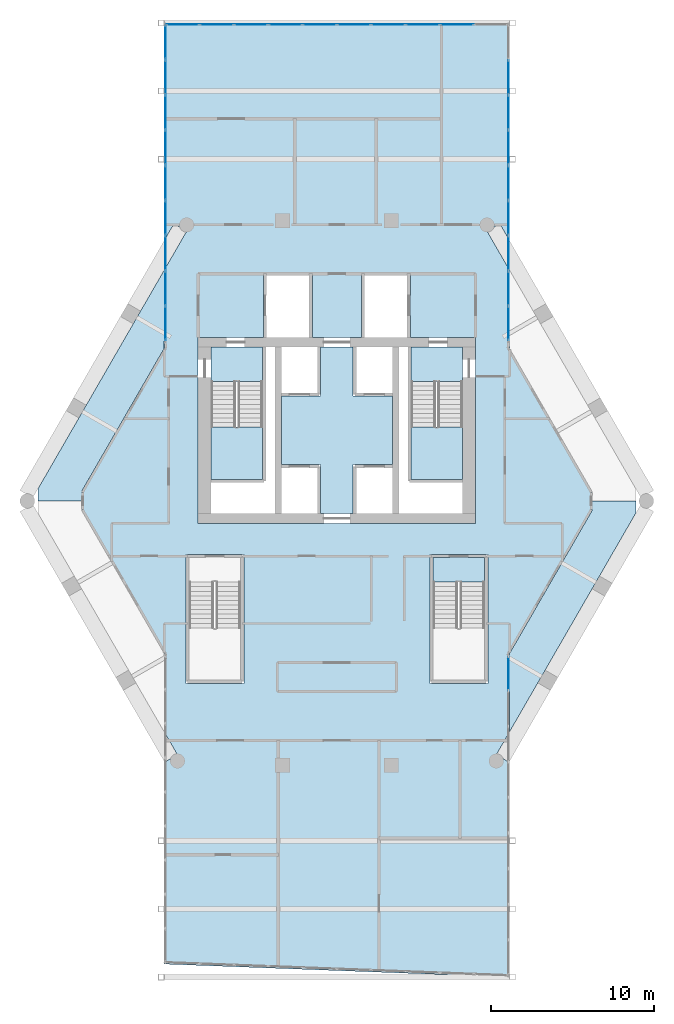
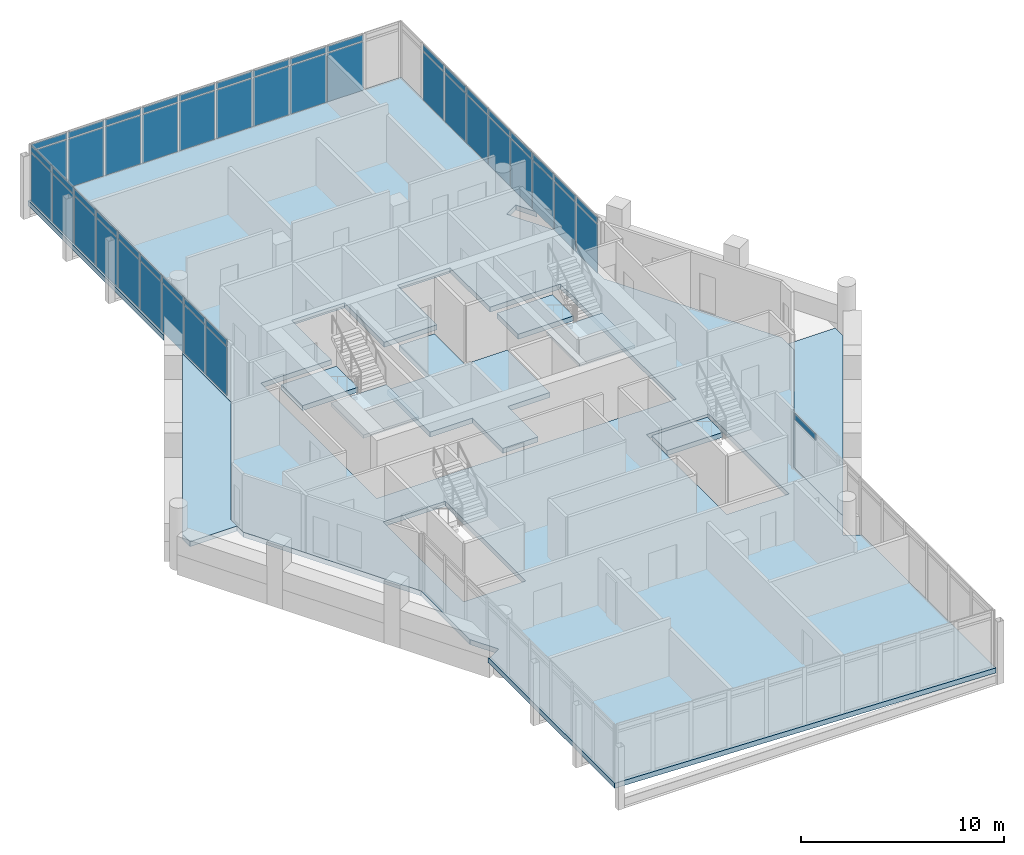
# One storey, part 19 of 25: 53 plates, 9 slabs, 6 elements without a shape of their own.
"""IFC4 building model written with IfcOpenShell, lengths in metres."""

from ifc_helpers import new_model, si_unit, direction, frame, origin, origin_2d, place, context, subcontext, project, spatial, polyline, rectangle, outline, extrude, material, layer, layer_set, type_object, element, aggregate, save


model = new_model("IFC4")

# Units and contexts
model_context = context("Model", 3, precision=1e-05, world=origin(), true_north=direction((0.0, 1.0)))
body_context = subcontext(model_context, "Body", "Model", "MODEL_VIEW")
ifc_project = project(units=[si_unit("LENGTHUNIT", "METRE"), si_unit("AREAUNIT", "SQUARE_METRE"), si_unit("VOLUMEUNIT", "CUBIC_METRE"), si_unit("PLANEANGLEUNIT", "RADIAN"), si_unit("MASSUNIT", "GRAM", prefix="KILO")], contexts=[model_context])

# Site, building, storey
site_placement = place(None, origin())
site = spatial("IfcSite", under=ifc_project, at=site_placement, CompositionType="ELEMENT")
building_placement = place(site_placement, origin())
building = spatial("IfcBuilding", under=site, at=building_placement, Name="Ostrander Bayou Hotel Tower", CompositionType="ELEMENT")
storey_placement = place(building_placement, frame((0.0, 0.0, 229.5)))
storey = spatial("IfcBuildingStorey", under=building, at=storey_placement, Name="L57", CompositionType="ELEMENT", Elevation=229.5)

# Curtain wall, plate
ifc_material_1 = material(Name="Aluminium and clear glass", Category="aluminium")
curtain_wall_type = type_object("IfcCurtainWallType", Name="CW-BAR glazed wall", PredefinedType="NOTDEFINED", material=ifc_material_1)
curtain_wall_1_placement = place(storey_placement, origin())
curtain_wall_1 = element("IfcCurtainWall", 1, at=curtain_wall_1_placement, inside=storey, type_object=curtain_wall_type, Name="CW-BAR L57:SB5S:W", PredefinedType="NOTDEFINED")
ifc_material_2 = material(Name="Clear laminated glass", Category="glass")
ifc_layer_1 = layer(ifc_material_2, 0.028076171875)
ifc_layer_set_1 = layer_set([ifc_layer_1], Name="CW-BR glazing panel 28 mm")
plate_type = type_object("IfcPlateType", Name="CW-BR glazing panel 28 mm", PredefinedType="CURTAIN_PANEL", material=ifc_layer_set_1)
plate_1_placement = place(storey_placement, frame((10.51220703125, -10.896484375, 3.02978515625), z_axis=(0.0, 0.0, 1.0), x_axis=(0.0, -1.0, 0.0)))
plate_1 = element("IfcPlate", 2, at=plate_1_placement, type_object=plate_type, Name="CW-BAR panel 1.2", PredefinedType="CURTAIN_PANEL", context=body_context, shape_type="SweptSolid", body=[
    extrude(rectangle(XDim=2.08837890625, YDim=0.028076171875, at=origin_2d()), origin(), (0.0, 0.0, 1.0), 0.360107421875),
])
aggregate(curtain_wall_1, [plate_1])

# Curtain wall, plates
curtain_wall_2_placement = place(storey_placement, origin())
curtain_wall_2 = element("IfcCurtainWall", 3, at=curtain_wall_2_placement, inside=storey, type_object=curtain_wall_type, Name="CW-BAR L57:SB5N:E", PredefinedType="NOTDEFINED")
plate_2_placement = place(storey_placement, frame((-10.51220703125, 10.557861328125, 0.06005859375), z_axis=(0.0, 0.0, 1.0), x_axis=(0.0, 1.0, 0.0)))
plate_2 = element("IfcPlate", 4, at=plate_2_placement, type_object=plate_type, Name="CW-BAR panel 1.1", PredefinedType="CURTAIN_PANEL", context=body_context, shape_type="SweptSolid", body=[
    extrude(rectangle(XDim=2.065673828125, YDim=0.028076171875, at=origin_2d()), origin(), (0.0, 0.0, 1.0), 2.909912109375),
])
plate_3_placement = place(storey_placement, frame((-10.51220703125, 10.557861328125, 3.02978515625), z_axis=(0.0, 0.0, 1.0), x_axis=(0.0, 1.0, 0.0)))
plate_3 = element("IfcPlate", 5, at=plate_3_placement, type_object=plate_type, Name="CW-BAR panel 1.2", PredefinedType="CURTAIN_PANEL", context=body_context, shape_type="SweptSolid", body=[
    extrude(rectangle(XDim=2.065673828125, YDim=0.028076171875, at=origin_2d()), origin(), (0.0, 0.0, 1.0), 0.360107421875),
])
plate_4_placement = place(storey_placement, frame((-10.51220703125, 12.698486328125, 0.06005859375), z_axis=(0.0, 0.0, 1.0), x_axis=(0.0, 1.0, 0.0)))
plate_4 = element("IfcPlate", 6, at=plate_4_placement, type_object=plate_type, Name="CW-BAR panel 2.1", PredefinedType="CURTAIN_PANEL", context=body_context, shape_type="SweptSolid", body=[
    extrude(rectangle(XDim=2.095703125, YDim=0.028076171875, at=origin_2d()), origin(), (0.0, 0.0, 1.0), 2.909912109375),
])
plate_5_placement = place(storey_placement, frame((-10.51220703125, 12.698486328125, 3.02978515625), z_axis=(0.0, 0.0, 1.0), x_axis=(0.0, 1.0, 0.0)))
plate_5 = element("IfcPlate", 7, at=plate_5_placement, type_object=plate_type, Name="CW-BAR panel 2.2", PredefinedType="CURTAIN_PANEL", context=body_context, shape_type="SweptSolid", body=[
    extrude(rectangle(XDim=2.095703125, YDim=0.028076171875, at=origin_2d()), origin(), (0.0, 0.0, 1.0), 0.360107421875),
])
plate_6_placement = place(storey_placement, frame((-10.51220703125, 14.854248046875, 0.06005859375), z_axis=(0.0, 0.0, 1.0), x_axis=(0.0, 1.0, 0.0)))
plate_6 = element("IfcPlate", 8, at=plate_6_placement, type_object=plate_type, Name="CW-BAR panel 3.1", PredefinedType="CURTAIN_PANEL", context=body_context, shape_type="SweptSolid", body=[
    extrude(rectangle(XDim=2.095703125, YDim=0.028076171875, at=origin_2d()), origin(), (0.0, 0.0, 1.0), 2.909912109375),
])
plate_7_placement = place(storey_placement, frame((-10.51220703125, 14.854248046875, 3.02978515625), z_axis=(0.0, 0.0, 1.0), x_axis=(0.0, 1.0, 0.0)))
plate_7 = element("IfcPlate", 9, at=plate_7_placement, type_object=plate_type, Name="CW-BAR panel 3.2", PredefinedType="CURTAIN_PANEL", context=body_context, shape_type="SweptSolid", body=[
    extrude(rectangle(XDim=2.095703125, YDim=0.028076171875, at=origin_2d()), origin(), (0.0, 0.0, 1.0), 0.360107421875),
])
plate_8_placement = place(storey_placement, frame((-10.51220703125, 17.010009765625, 0.06005859375), z_axis=(0.0, 0.0, 1.0), x_axis=(0.0, 1.0, 0.0)))
plate_8 = element("IfcPlate", 10, at=plate_8_placement, type_object=plate_type, Name="CW-BAR panel 4.1", PredefinedType="CURTAIN_PANEL", context=body_context, shape_type="SweptSolid", body=[
    extrude(rectangle(XDim=2.095703125, YDim=0.028076171875, at=origin_2d()), origin(), (0.0, 0.0, 1.0), 2.909912109375),
])
plate_9_placement = place(storey_placement, frame((-10.51220703125, 17.010009765625, 3.02978515625), z_axis=(0.0, 0.0, 1.0), x_axis=(0.0, 1.0, 0.0)))
plate_9 = element("IfcPlate", 11, at=plate_9_placement, type_object=plate_type, Name="CW-BAR panel 4.2", PredefinedType="CURTAIN_PANEL", context=body_context, shape_type="SweptSolid", body=[
    extrude(rectangle(XDim=2.095703125, YDim=0.028076171875, at=origin_2d()), origin(), (0.0, 0.0, 1.0), 0.360107421875),
])
plate_10_placement = place(storey_placement, frame((-10.51220703125, 19.165771484375, 0.06005859375), z_axis=(0.0, 0.0, 1.0), x_axis=(0.0, 1.0, 0.0)))
plate_10 = element("IfcPlate", 12, at=plate_10_placement, type_object=plate_type, Name="CW-BAR panel 5.1", PredefinedType="CURTAIN_PANEL", context=body_context, shape_type="SweptSolid", body=[
    extrude(rectangle(XDim=2.095703125, YDim=0.028076171875, at=origin_2d()), origin(), (0.0, 0.0, 1.0), 2.909912109375),
])
plate_11_placement = place(storey_placement, frame((-10.51220703125, 19.165771484375, 3.02978515625), z_axis=(0.0, 0.0, 1.0), x_axis=(0.0, 1.0, 0.0)))
plate_11 = element("IfcPlate", 13, at=plate_11_placement, type_object=plate_type, Name="CW-BAR panel 5.2", PredefinedType="CURTAIN_PANEL", context=body_context, shape_type="SweptSolid", body=[
    extrude(rectangle(XDim=2.095703125, YDim=0.028076171875, at=origin_2d()), origin(), (0.0, 0.0, 1.0), 0.360107421875),
])
plate_12_placement = place(storey_placement, frame((-10.51220703125, 21.321533203125, 0.06005859375), z_axis=(0.0, 0.0, 1.0), x_axis=(0.0, 1.0, 0.0)))
plate_12 = element("IfcPlate", 14, at=plate_12_placement, type_object=plate_type, Name="CW-BAR panel 6.1", PredefinedType="CURTAIN_PANEL", context=body_context, shape_type="SweptSolid", body=[
    extrude(rectangle(XDim=2.095703125, YDim=0.028076171875, at=origin_2d()), origin(), (0.0, 0.0, 1.0), 2.909912109375),
])
plate_13_placement = place(storey_placement, frame((-10.51220703125, 21.321533203125, 3.02978515625), z_axis=(0.0, 0.0, 1.0), x_axis=(0.0, 1.0, 0.0)))
plate_13 = element("IfcPlate", 15, at=plate_13_placement, type_object=plate_type, Name="CW-BAR panel 6.2", PredefinedType="CURTAIN_PANEL", context=body_context, shape_type="SweptSolid", body=[
    extrude(rectangle(XDim=2.095703125, YDim=0.028076171875, at=origin_2d()), origin(), (0.0, 0.0, 1.0), 0.360107421875),
])
plate_14_placement = place(storey_placement, frame((-10.51220703125, 23.477294921875, 0.06005859375), z_axis=(0.0, 0.0, 1.0), x_axis=(0.0, 1.0, 0.0)))
plate_14 = element("IfcPlate", 16, at=plate_14_placement, type_object=plate_type, Name="CW-BAR panel 7.1", PredefinedType="CURTAIN_PANEL", context=body_context, shape_type="SweptSolid", body=[
    extrude(rectangle(XDim=2.095703125, YDim=0.028076171875, at=origin_2d()), origin(), (0.0, 0.0, 1.0), 2.909912109375),
])
plate_15_placement = place(storey_placement, frame((-10.51220703125, 23.477294921875, 3.02978515625), z_axis=(0.0, 0.0, 1.0), x_axis=(0.0, 1.0, 0.0)))
plate_15 = element("IfcPlate", 17, at=plate_15_placement, type_object=plate_type, Name="CW-BAR panel 7.2", PredefinedType="CURTAIN_PANEL", context=body_context, shape_type="SweptSolid", body=[
    extrude(rectangle(XDim=2.095703125, YDim=0.028076171875, at=origin_2d()), origin(), (0.0, 0.0, 1.0), 0.360107421875),
])
plate_16_placement = place(storey_placement, frame((-10.51220703125, 25.633056640625, 0.06005859375), z_axis=(0.0, 0.0, 1.0), x_axis=(0.0, 1.0, 0.0)))
plate_16 = element("IfcPlate", 18, at=plate_16_placement, type_object=plate_type, Name="CW-BAR panel 8.1", PredefinedType="CURTAIN_PANEL", context=body_context, shape_type="SweptSolid", body=[
    extrude(rectangle(XDim=2.095703125, YDim=0.028076171875, at=origin_2d()), origin(), (0.0, 0.0, 1.0), 2.909912109375),
])
plate_17_placement = place(storey_placement, frame((-10.51220703125, 25.633056640625, 3.02978515625), z_axis=(0.0, 0.0, 1.0), x_axis=(0.0, 1.0, 0.0)))
plate_17 = element("IfcPlate", 19, at=plate_17_placement, type_object=plate_type, Name="CW-BAR panel 8.2", PredefinedType="CURTAIN_PANEL", context=body_context, shape_type="SweptSolid", body=[
    extrude(rectangle(XDim=2.095703125, YDim=0.028076171875, at=origin_2d()), origin(), (0.0, 0.0, 1.0), 0.360107421875),
])
plate_18_placement = place(storey_placement, frame((-10.51220703125, 27.773681640625, 0.06005859375), z_axis=(0.0, 0.0, 1.0), x_axis=(0.0, 1.0, 0.0)))
plate_18 = element("IfcPlate", 20, at=plate_18_placement, type_object=plate_type, Name="CW-BAR panel 9.1", PredefinedType="CURTAIN_PANEL", context=body_context, shape_type="SweptSolid", body=[
    extrude(rectangle(XDim=2.065673828125, YDim=0.028076171875, at=origin_2d()), origin(), (0.0, 0.0, 1.0), 2.909912109375),
])
plate_19_placement = place(storey_placement, frame((-10.51220703125, 27.773681640625, 3.02978515625), z_axis=(0.0, 0.0, 1.0), x_axis=(0.0, 1.0, 0.0)))
plate_19 = element("IfcPlate", 21, at=plate_19_placement, type_object=plate_type, Name="CW-BAR panel 9.2", PredefinedType="CURTAIN_PANEL", context=body_context, shape_type="SweptSolid", body=[
    extrude(rectangle(XDim=2.065673828125, YDim=0.028076171875, at=origin_2d()), origin(), (0.0, 0.0, 1.0), 0.360107421875),
])
aggregate(curtain_wall_2, [plate_2, plate_3, plate_4, plate_5, plate_6, plate_7, plate_8, plate_9, plate_10, plate_11, plate_12, plate_13, plate_14, plate_15, plate_16, plate_17, plate_18, plate_19])

curtain_wall_3_placement = place(storey_placement, origin())
curtain_wall_3 = element("IfcCurtainWall", 22, at=curtain_wall_3_placement, inside=storey, type_object=curtain_wall_type, Name="CW-BAR L57:SB5N:T", PredefinedType="NOTDEFINED")
plate_20_placement = place(storey_placement, frame((-9.446044921875, 28.86669921875, 0.06005859375), z_axis=(0.0, 0.0, 1.0), x_axis=(1.0, 0.0, 0.0)))
plate_20 = element("IfcPlate", 23, at=plate_20_placement, type_object=plate_type, Name="CW-BAR panel 1.1", PredefinedType="CURTAIN_PANEL", context=body_context, shape_type="SweptSolid", body=[
    extrude(rectangle(XDim=2.012451171875, YDim=0.028076171875, at=origin_2d()), origin(), (0.0, 0.0, 1.0), 2.909912109375),
])
plate_21_placement = place(storey_placement, frame((-9.446044921875, 28.86669921875, 3.02978515625), z_axis=(0.0, 0.0, 1.0), x_axis=(1.0, 0.0, 0.0)))
plate_21 = element("IfcPlate", 24, at=plate_21_placement, type_object=plate_type, Name="CW-BAR panel 1.2", PredefinedType="CURTAIN_PANEL", context=body_context, shape_type="SweptSolid", body=[
    extrude(rectangle(XDim=2.012451171875, YDim=0.028076171875, at=origin_2d()), origin(), (0.0, 0.0, 1.0), 0.360107421875),
])
plate_22_placement = place(storey_placement, frame((-7.358642578125, 28.86669921875, 0.06005859375), z_axis=(0.0, 0.0, 1.0), x_axis=(1.0, 0.0, 0.0)))
plate_22 = element("IfcPlate", 25, at=plate_22_placement, type_object=plate_type, Name="CW-BAR panel 2.1", PredefinedType="CURTAIN_PANEL", context=body_context, shape_type="SweptSolid", body=[
    extrude(rectangle(XDim=2.04248046875, YDim=0.028076171875, at=origin_2d()), origin(), (0.0, 0.0, 1.0), 2.909912109375),
])
plate_23_placement = place(storey_placement, frame((-7.358642578125, 28.86669921875, 3.02978515625), z_axis=(0.0, 0.0, 1.0), x_axis=(1.0, 0.0, 0.0)))
plate_23 = element("IfcPlate", 26, at=plate_23_placement, type_object=plate_type, Name="CW-BAR panel 2.2", PredefinedType="CURTAIN_PANEL", context=body_context, shape_type="SweptSolid", body=[
    extrude(rectangle(XDim=2.04248046875, YDim=0.028076171875, at=origin_2d()), origin(), (0.0, 0.0, 1.0), 0.360107421875),
])
plate_24_placement = place(storey_placement, frame((-5.256103515625, 28.86669921875, 0.06005859375), z_axis=(0.0, 0.0, 1.0), x_axis=(1.0, 0.0, 0.0)))
plate_24 = element("IfcPlate", 27, at=plate_24_placement, type_object=plate_type, Name="CW-BAR panel 3.1", PredefinedType="CURTAIN_PANEL", context=body_context, shape_type="SweptSolid", body=[
    extrude(rectangle(XDim=2.04248046875, YDim=0.028076171875, at=origin_2d()), origin(), (0.0, 0.0, 1.0), 2.909912109375),
])
plate_25_placement = place(storey_placement, frame((-5.256103515625, 28.86669921875, 3.02978515625), z_axis=(0.0, 0.0, 1.0), x_axis=(1.0, 0.0, 0.0)))
plate_25 = element("IfcPlate", 28, at=plate_25_placement, type_object=plate_type, Name="CW-BAR panel 3.2", PredefinedType="CURTAIN_PANEL", context=body_context, shape_type="SweptSolid", body=[
    extrude(rectangle(XDim=2.04248046875, YDim=0.028076171875, at=origin_2d()), origin(), (0.0, 0.0, 1.0), 0.360107421875),
])
plate_26_placement = place(storey_placement, frame((-3.153564453125, 28.86669921875, 0.06005859375), z_axis=(0.0, 0.0, 1.0), x_axis=(1.0, 0.0, 0.0)))
plate_26 = element("IfcPlate", 29, at=plate_26_placement, type_object=plate_type, Name="CW-BAR panel 4.1", PredefinedType="CURTAIN_PANEL", context=body_context, shape_type="SweptSolid", body=[
    extrude(rectangle(XDim=2.04248046875, YDim=0.028076171875, at=origin_2d()), origin(), (0.0, 0.0, 1.0), 2.909912109375),
])
plate_27_placement = place(storey_placement, frame((-3.153564453125, 28.86669921875, 3.02978515625), z_axis=(0.0, 0.0, 1.0), x_axis=(1.0, 0.0, 0.0)))
plate_27 = element("IfcPlate", 30, at=plate_27_placement, type_object=plate_type, Name="CW-BAR panel 4.2", PredefinedType="CURTAIN_PANEL", context=body_context, shape_type="SweptSolid", body=[
    extrude(rectangle(XDim=2.04248046875, YDim=0.028076171875, at=origin_2d()), origin(), (0.0, 0.0, 1.0), 0.360107421875),
])
plate_28_placement = place(storey_placement, frame((-1.05126953125, 28.86669921875, 0.06005859375), z_axis=(0.0, 0.0, 1.0), x_axis=(1.0, 0.0, 0.0)))
plate_28 = element("IfcPlate", 31, at=plate_28_placement, type_object=plate_type, Name="CW-BAR panel 5.1", PredefinedType="CURTAIN_PANEL", context=body_context, shape_type="SweptSolid", body=[
    extrude(rectangle(XDim=2.04248046875, YDim=0.028076171875, at=origin_2d()), origin(), (0.0, 0.0, 1.0), 2.909912109375),
])
plate_29_placement = place(storey_placement, frame((-1.05126953125, 28.86669921875, 3.02978515625), z_axis=(0.0, 0.0, 1.0), x_axis=(1.0, 0.0, 0.0)))
plate_29 = element("IfcPlate", 32, at=plate_29_placement, type_object=plate_type, Name="CW-BAR panel 5.2", PredefinedType="CURTAIN_PANEL", context=body_context, shape_type="SweptSolid", body=[
    extrude(rectangle(XDim=2.04248046875, YDim=0.028076171875, at=origin_2d()), origin(), (0.0, 0.0, 1.0), 0.360107421875),
])
plate_30_placement = place(storey_placement, frame((1.05126953125, 28.86669921875, 0.06005859375), z_axis=(0.0, 0.0, 1.0), x_axis=(1.0, 0.0, 0.0)))
plate_30 = element("IfcPlate", 33, at=plate_30_placement, type_object=plate_type, Name="CW-BAR panel 6.1", PredefinedType="CURTAIN_PANEL", context=body_context, shape_type="SweptSolid", body=[
    extrude(rectangle(XDim=2.04248046875, YDim=0.028076171875, at=origin_2d()), origin(), (0.0, 0.0, 1.0), 2.909912109375),
])
plate_31_placement = place(storey_placement, frame((1.05126953125, 28.86669921875, 3.02978515625), z_axis=(0.0, 0.0, 1.0), x_axis=(1.0, 0.0, 0.0)))
plate_31 = element("IfcPlate", 34, at=plate_31_placement, type_object=plate_type, Name="CW-BAR panel 6.2", PredefinedType="CURTAIN_PANEL", context=body_context, shape_type="SweptSolid", body=[
    extrude(rectangle(XDim=2.04248046875, YDim=0.028076171875, at=origin_2d()), origin(), (0.0, 0.0, 1.0), 0.360107421875),
])
plate_32_placement = place(storey_placement, frame((3.153564453125, 28.86669921875, 0.06005859375), z_axis=(0.0, 0.0, 1.0), x_axis=(1.0, 0.0, 0.0)))
plate_32 = element("IfcPlate", 35, at=plate_32_placement, type_object=plate_type, Name="CW-BAR panel 7.1", PredefinedType="CURTAIN_PANEL", context=body_context, shape_type="SweptSolid", body=[
    extrude(rectangle(XDim=2.04248046875, YDim=0.028076171875, at=origin_2d()), origin(), (0.0, 0.0, 1.0), 2.909912109375),
])
plate_33_placement = place(storey_placement, frame((3.153564453125, 28.86669921875, 3.02978515625), z_axis=(0.0, 0.0, 1.0), x_axis=(1.0, 0.0, 0.0)))
plate_33 = element("IfcPlate", 36, at=plate_33_placement, type_object=plate_type, Name="CW-BAR panel 7.2", PredefinedType="CURTAIN_PANEL", context=body_context, shape_type="SweptSolid", body=[
    extrude(rectangle(XDim=2.04248046875, YDim=0.028076171875, at=origin_2d()), origin(), (0.0, 0.0, 1.0), 0.360107421875),
])
plate_34_placement = place(storey_placement, frame((5.256103515625, 28.86669921875, 0.06005859375), z_axis=(0.0, 0.0, 1.0), x_axis=(1.0, 0.0, 0.0)))
plate_34 = element("IfcPlate", 37, at=plate_34_placement, type_object=plate_type, Name="CW-BAR panel 8.1", PredefinedType="CURTAIN_PANEL", context=body_context, shape_type="SweptSolid", body=[
    extrude(rectangle(XDim=2.04248046875, YDim=0.028076171875, at=origin_2d()), origin(), (0.0, 0.0, 1.0), 2.909912109375),
])
plate_35_placement = place(storey_placement, frame((5.256103515625, 28.86669921875, 3.02978515625), z_axis=(0.0, 0.0, 1.0), x_axis=(1.0, 0.0, 0.0)))
plate_35 = element("IfcPlate", 38, at=plate_35_placement, type_object=plate_type, Name="CW-BAR panel 8.2", PredefinedType="CURTAIN_PANEL", context=body_context, shape_type="SweptSolid", body=[
    extrude(rectangle(XDim=2.04248046875, YDim=0.028076171875, at=origin_2d()), origin(), (0.0, 0.0, 1.0), 0.360107421875),
])
plate_36_placement = place(storey_placement, frame((7.358642578125, 28.86669921875, 0.06005859375), z_axis=(0.0, 0.0, 1.0), x_axis=(1.0, 0.0, 0.0)))
plate_36 = element("IfcPlate", 39, at=plate_36_placement, type_object=plate_type, Name="CW-BAR panel 9.1", PredefinedType="CURTAIN_PANEL", context=body_context, shape_type="SweptSolid", body=[
    extrude(rectangle(XDim=2.04248046875, YDim=0.028076171875, at=origin_2d()), origin(), (0.0, 0.0, 1.0), 2.909912109375),
])
plate_37_placement = place(storey_placement, frame((7.358642578125, 28.86669921875, 3.02978515625), z_axis=(0.0, 0.0, 1.0), x_axis=(1.0, 0.0, 0.0)))
plate_37 = element("IfcPlate", 40, at=plate_37_placement, type_object=plate_type, Name="CW-BAR panel 9.2", PredefinedType="CURTAIN_PANEL", context=body_context, shape_type="SweptSolid", body=[
    extrude(rectangle(XDim=2.04248046875, YDim=0.028076171875, at=origin_2d()), origin(), (0.0, 0.0, 1.0), 0.360107421875),
])
aggregate(curtain_wall_3, [plate_20, plate_21, plate_22, plate_23, plate_24, plate_25, plate_26, plate_27, plate_28, plate_29, plate_30, plate_31, plate_32, plate_33, plate_34, plate_35, plate_36, plate_37])

curtain_wall_4_placement = place(storey_placement, origin())
curtain_wall_4 = element("IfcCurtainWall", 41, at=curtain_wall_4_placement, inside=storey, type_object=curtain_wall_type, Name="CW-BAR L57:SB5N:W", PredefinedType="NOTDEFINED")
plate_38_placement = place(storey_placement, frame((10.51220703125, 10.557861328125, 0.06005859375), z_axis=(0.0, 0.0, 1.0), x_axis=(0.0, 1.0, 0.0)))
plate_38 = element("IfcPlate", 42, at=plate_38_placement, type_object=plate_type, Name="CW-BAR panel 1.1", PredefinedType="CURTAIN_PANEL", context=body_context, shape_type="SweptSolid", body=[
    extrude(rectangle(XDim=2.065673828125, YDim=0.028076171875, at=origin_2d()), origin(), (0.0, 0.0, 1.0), 2.909912109375),
])
plate_39_placement = place(storey_placement, frame((10.51220703125, 10.557861328125, 3.02978515625), z_axis=(0.0, 0.0, 1.0), x_axis=(0.0, 1.0, 0.0)))
plate_39 = element("IfcPlate", 43, at=plate_39_placement, type_object=plate_type, Name="CW-BAR panel 1.2", PredefinedType="CURTAIN_PANEL", context=body_context, shape_type="SweptSolid", body=[
    extrude(rectangle(XDim=2.065673828125, YDim=0.028076171875, at=origin_2d()), origin(), (0.0, 0.0, 1.0), 0.360107421875),
])
plate_40_placement = place(storey_placement, frame((10.51220703125, 12.698486328125, 0.06005859375), z_axis=(0.0, 0.0, 1.0), x_axis=(0.0, 1.0, 0.0)))
plate_40 = element("IfcPlate", 44, at=plate_40_placement, type_object=plate_type, Name="CW-BAR panel 2.1", PredefinedType="CURTAIN_PANEL", context=body_context, shape_type="SweptSolid", body=[
    extrude(rectangle(XDim=2.095703125, YDim=0.028076171875, at=origin_2d()), origin(), (0.0, 0.0, 1.0), 2.909912109375),
])
plate_41_placement = place(storey_placement, frame((10.51220703125, 12.698486328125, 3.02978515625), z_axis=(0.0, 0.0, 1.0), x_axis=(0.0, 1.0, 0.0)))
plate_41 = element("IfcPlate", 45, at=plate_41_placement, type_object=plate_type, Name="CW-BAR panel 2.2", PredefinedType="CURTAIN_PANEL", context=body_context, shape_type="SweptSolid", body=[
    extrude(rectangle(XDim=2.095703125, YDim=0.028076171875, at=origin_2d()), origin(), (0.0, 0.0, 1.0), 0.360107421875),
])
plate_42_placement = place(storey_placement, frame((10.51220703125, 14.854248046875, 0.06005859375), z_axis=(0.0, 0.0, 1.0), x_axis=(0.0, 1.0, 0.0)))
plate_42 = element("IfcPlate", 46, at=plate_42_placement, type_object=plate_type, Name="CW-BAR panel 3.1", PredefinedType="CURTAIN_PANEL", context=body_context, shape_type="SweptSolid", body=[
    extrude(rectangle(XDim=2.095703125, YDim=0.028076171875, at=origin_2d()), origin(), (0.0, 0.0, 1.0), 2.909912109375),
])
plate_43_placement = place(storey_placement, frame((10.51220703125, 14.854248046875, 3.02978515625), z_axis=(0.0, 0.0, 1.0), x_axis=(0.0, 1.0, 0.0)))
plate_43 = element("IfcPlate", 47, at=plate_43_placement, type_object=plate_type, Name="CW-BAR panel 3.2", PredefinedType="CURTAIN_PANEL", context=body_context, shape_type="SweptSolid", body=[
    extrude(rectangle(XDim=2.095703125, YDim=0.028076171875, at=origin_2d()), origin(), (0.0, 0.0, 1.0), 0.360107421875),
])
plate_44_placement = place(storey_placement, frame((10.51220703125, 17.010009765625, 0.06005859375), z_axis=(0.0, 0.0, 1.0), x_axis=(0.0, 1.0, 0.0)))
plate_44 = element("IfcPlate", 48, at=plate_44_placement, type_object=plate_type, Name="CW-BAR panel 4.1", PredefinedType="CURTAIN_PANEL", context=body_context, shape_type="SweptSolid", body=[
    extrude(rectangle(XDim=2.095703125, YDim=0.028076171875, at=origin_2d()), origin(), (0.0, 0.0, 1.0), 2.909912109375),
])
plate_45_placement = place(storey_placement, frame((10.51220703125, 17.010009765625, 3.02978515625), z_axis=(0.0, 0.0, 1.0), x_axis=(0.0, 1.0, 0.0)))
plate_45 = element("IfcPlate", 49, at=plate_45_placement, type_object=plate_type, Name="CW-BAR panel 4.2", PredefinedType="CURTAIN_PANEL", context=body_context, shape_type="SweptSolid", body=[
    extrude(rectangle(XDim=2.095703125, YDim=0.028076171875, at=origin_2d()), origin(), (0.0, 0.0, 1.0), 0.360107421875),
])
plate_46_placement = place(storey_placement, frame((10.51220703125, 19.165771484375, 0.06005859375), z_axis=(0.0, 0.0, 1.0), x_axis=(0.0, 1.0, 0.0)))
plate_46 = element("IfcPlate", 50, at=plate_46_placement, type_object=plate_type, Name="CW-BAR panel 5.1", PredefinedType="CURTAIN_PANEL", context=body_context, shape_type="SweptSolid", body=[
    extrude(rectangle(XDim=2.095703125, YDim=0.028076171875, at=origin_2d()), origin(), (0.0, 0.0, 1.0), 2.909912109375),
])
plate_47_placement = place(storey_placement, frame((10.51220703125, 19.165771484375, 3.02978515625), z_axis=(0.0, 0.0, 1.0), x_axis=(0.0, 1.0, 0.0)))
plate_47 = element("IfcPlate", 51, at=plate_47_placement, type_object=plate_type, Name="CW-BAR panel 5.2", PredefinedType="CURTAIN_PANEL", context=body_context, shape_type="SweptSolid", body=[
    extrude(rectangle(XDim=2.095703125, YDim=0.028076171875, at=origin_2d()), origin(), (0.0, 0.0, 1.0), 0.360107421875),
])
plate_48_placement = place(storey_placement, frame((10.51220703125, 21.321533203125, 0.06005859375), z_axis=(0.0, 0.0, 1.0), x_axis=(0.0, 1.0, 0.0)))
plate_48 = element("IfcPlate", 52, at=plate_48_placement, type_object=plate_type, Name="CW-BAR panel 6.1", PredefinedType="CURTAIN_PANEL", context=body_context, shape_type="SweptSolid", body=[
    extrude(rectangle(XDim=2.095703125, YDim=0.028076171875, at=origin_2d()), origin(), (0.0, 0.0, 1.0), 2.909912109375),
])
plate_49_placement = place(storey_placement, frame((10.51220703125, 21.321533203125, 3.02978515625), z_axis=(0.0, 0.0, 1.0), x_axis=(0.0, 1.0, 0.0)))
plate_49 = element("IfcPlate", 53, at=plate_49_placement, type_object=plate_type, Name="CW-BAR panel 6.2", PredefinedType="CURTAIN_PANEL", context=body_context, shape_type="SweptSolid", body=[
    extrude(rectangle(XDim=2.095703125, YDim=0.028076171875, at=origin_2d()), origin(), (0.0, 0.0, 1.0), 0.360107421875),
])
plate_50_placement = place(storey_placement, frame((10.51220703125, 23.477294921875, 0.06005859375), z_axis=(0.0, 0.0, 1.0), x_axis=(0.0, 1.0, 0.0)))
plate_50 = element("IfcPlate", 54, at=plate_50_placement, type_object=plate_type, Name="CW-BAR panel 7.1", PredefinedType="CURTAIN_PANEL", context=body_context, shape_type="SweptSolid", body=[
    extrude(rectangle(XDim=2.095703125, YDim=0.028076171875, at=origin_2d()), origin(), (0.0, 0.0, 1.0), 2.909912109375),
])
plate_51_placement = place(storey_placement, frame((10.51220703125, 23.477294921875, 3.02978515625), z_axis=(0.0, 0.0, 1.0), x_axis=(0.0, 1.0, 0.0)))
plate_51 = element("IfcPlate", 55, at=plate_51_placement, type_object=plate_type, Name="CW-BAR panel 7.2", PredefinedType="CURTAIN_PANEL", context=body_context, shape_type="SweptSolid", body=[
    extrude(rectangle(XDim=2.095703125, YDim=0.028076171875, at=origin_2d()), origin(), (0.0, 0.0, 1.0), 0.360107421875),
])
plate_52_placement = place(storey_placement, frame((10.51220703125, 25.633056640625, 0.06005859375), z_axis=(0.0, 0.0, 1.0), x_axis=(0.0, 1.0, 0.0)))
plate_52 = element("IfcPlate", 56, at=plate_52_placement, type_object=plate_type, Name="CW-BAR panel 8.1", PredefinedType="CURTAIN_PANEL", context=body_context, shape_type="SweptSolid", body=[
    extrude(rectangle(XDim=2.095703125, YDim=0.028076171875, at=origin_2d()), origin(), (0.0, 0.0, 1.0), 2.909912109375),
])
plate_53_placement = place(storey_placement, frame((10.51220703125, 25.633056640625, 3.02978515625), z_axis=(0.0, 0.0, 1.0), x_axis=(0.0, 1.0, 0.0)))
plate_53 = element("IfcPlate", 57, at=plate_53_placement, type_object=plate_type, Name="CW-BAR panel 8.2", PredefinedType="CURTAIN_PANEL", context=body_context, shape_type="SweptSolid", body=[
    extrude(rectangle(XDim=2.095703125, YDim=0.028076171875, at=origin_2d()), origin(), (0.0, 0.0, 1.0), 0.360107421875),
])
aggregate(curtain_wall_4, [plate_38, plate_39, plate_40, plate_41, plate_42, plate_43, plate_44, plate_45, plate_46, plate_47, plate_48, plate_49, plate_50, plate_51, plate_52, plate_53])

# Slabs
ifc_material_3 = material(Name="Concrete f'c 40 MPa", Category="concrete")
ifc_layer_2 = layer(ifc_material_3, 0.300048828125)
ifc_layer_set_2 = layer_set([ifc_layer_2], Name="SL1 floor slab 300 mm f'c 40 MPa")
slab_type_1 = type_object("IfcSlabType", Name="SL1 floor slab 300 mm f'c 40 MPa", PredefinedType="FLOOR", material=ifc_layer_set_2)
slab_1_placement = place(storey_placement, frame((0.0, 0.0, -0.300048828125)))
element("IfcSlab", 58, at=slab_1_placement, inside=storey, type_object=slab_type_1, Name="SL1 L57 1", PredefinedType="FLOOR", context=body_context, shape_type="SweptSolid", body=[
    extrude(outline(polyline([(-10.550537109375, -16.32568359375), (-9.771240234375, -15.875732421875), (-10.587158203125, -14.46240234375), (-10.587158203125, -9.662353515625), (-15.63037109375, -0.92724609375), (-15.63037109375, 0.272705078125), (-10.587158203125, 9.0078125), (-10.587158203125, 13.807861328125), (-9.204345703125, 16.202880859375), (-9.983642578125, 16.653076171875), (-10.587158203125, 15.60791015625), (-10.587158203125, 28.966552734375), (10.587158203125, 28.966552734375), (10.587158203125, 15.60791015625), (9.983642578125, 16.653076171875), (9.204345703125, 16.202880859375), (10.587158203125, 13.807861328125), (10.587158203125, 9.0078125), (15.63037109375, 0.272705078125), (15.63037109375, -0.92724609375), (10.587158203125, -9.662353515625), (10.587158203125, -14.46240234375), (9.771240234375, -15.875732421875), (10.550537109375, -16.32568359375), (10.587158203125, -16.262451171875), (10.587158203125, -29.5), (-10.587158203125, -28.699951171875), (-10.587158203125, -16.262451171875), (-10.550537109375, -16.32568359375)]), holes=[polyline([(9.25, -3.60009765625), (5.699951171875, -3.60009765625), (5.699951171875, -11.5), (9.25, -11.5), (9.25, -3.60009765625)]), polyline([(-8.5, -1.699951171875), (8.5, -1.699951171875), (8.5, 9.699951171875), (4.5, 9.699951171875), (4.5, 13.60009765625), (1.5, 13.60009765625), (1.5, 9.699951171875), (-1.5, 9.699951171875), (-1.5, 13.60009765625), (-4.5, 13.60009765625), (-4.5, 9.699951171875), (-8.5, 9.699951171875), (-8.5, -1.699951171875)]), polyline([(-5.699951171875, -3.60009765625), (-9.25, -3.60009765625), (-9.25, -11.5), (-5.699951171875, -11.5), (-5.699951171875, -3.60009765625)])]), origin(), (0.0, 0.0, 1.0), 0.300048828125),
])
slab_2_placement = place(storey_placement, frame((0.0, 0.0, -0.300048828125)))
element("IfcSlab", 59, at=slab_2_placement, inside=storey, type_object=slab_type_1, Name="cslab:L57:001", PredefinedType="FLOOR", context=body_context, shape_type="SweptSolid", body=[
    extrude(outline(polyline([(-3.39990234375, 6.10009765625), (-1.0, 6.10009765625), (-1.0, 9.10009765625), (1.0, 9.10009765625), (1.0, 6.10009765625), (3.39990234375, 6.10009765625), (3.39990234375, 1.89990234375), (1.0, 1.89990234375), (1.0, -1.10009765625), (-1.0, -1.10009765625), (-1.0, 1.89990234375), (-3.39990234375, 1.89990234375), (-3.39990234375, 6.10009765625)])), origin(), (0.0, 0.0, 1.0), 0.300048828125),
])
slab_3_placement = place(storey_placement, frame((0.0, 0.0, -0.300048828125)))
element("IfcSlab", 60, at=slab_3_placement, inside=storey, type_object=slab_type_1, Name="cslab:L57:002", PredefinedType="FLOOR", context=body_context, shape_type="SweptSolid", body=[
    extrude(outline(polyline([(-4.550048828125, 7.0), (-4.550048828125, 9.10009765625), (-7.699951171875, 9.10009765625), (-7.699951171875, 7.0), (-4.550048828125, 7.0)])), origin(), (0.0, 0.0, 1.0), 0.300048828125),
])
slab_4_placement = place(storey_placement, frame((0.0, 0.0, -0.300048828125)))
element("IfcSlab", 61, at=slab_4_placement, inside=storey, type_object=slab_type_1, Name="cslab:L57:003", PredefinedType="FLOOR", context=body_context, shape_type="SweptSolid", body=[
    extrude(outline(polyline([(7.699951171875, 7.0), (7.699951171875, 9.10009765625), (4.550048828125, 9.10009765625), (4.550048828125, 7.0), (7.699951171875, 7.0)])), origin(), (0.0, 0.0, 1.0), 0.300048828125),
])
slab_5_placement = place(storey_placement, frame((0.0, 0.0, -0.300048828125)))
element("IfcSlab", 62, at=slab_5_placement, inside=storey, type_object=slab_type_1, Name="cslab:L57:004", PredefinedType="FLOOR", context=body_context, shape_type="SweptSolid", body=[
    extrude(outline(polyline([(9.050048828125, -5.300048828125), (9.050048828125, -3.800048828125), (5.89990234375, -3.800048828125), (5.89990234375, -5.300048828125), (9.050048828125, -5.300048828125)])), origin(), (0.0, 0.0, 1.0), 0.300048828125),
])
ifc_material_4 = material(Name="Concrete f'c 40 MPa", Category="concrete")
ifc_layer_3 = layer(ifc_material_4, 0.300048828125)
ifc_layer_set_3 = layer_set([ifc_layer_3], Name="SL4 loggia slab 300 mm f'c 40 MPa")
slab_type_2 = type_object("IfcSlabType", Name="SL4 loggia slab 300 mm f'c 40 MPa", PredefinedType="FLOOR", material=ifc_layer_set_3)
slab_6_placement = place(storey_placement, frame((0.0, 0.0, -0.300048828125)))
element("IfcSlab", 63, at=slab_6_placement, inside=storey, type_object=slab_type_2, Name="SL4 LOGGIA L57 NW 1", PredefinedType="FLOOR", context=body_context, shape_type="SweptSolid", body=[
    extrude(outline(polyline([(-12.044677734375, 11.283447265625), (-10.587158203125, 13.807861328125), (-10.587158203125, 9.0078125), (-15.63037109375, 0.272705078125), (-15.63037109375, -0.327392578125), (-18.315185546875, -0.327392578125), (-18.315185546875, 0.422607421875), (-14.978271484375, 6.2021484375), (-12.464599609375, 10.555908203125), (-12.044677734375, 11.283447265625)])), origin(), (0.0, 0.0, 1.0), 0.300048828125),
])
slab_7_placement = place(storey_placement, frame((0.0, 0.0, -0.300048828125)))
element("IfcSlab", 64, at=slab_7_placement, inside=storey, type_object=slab_type_2, Name="SL4 LOGGIA L57 SE 1", PredefinedType="FLOOR", context=body_context, shape_type="SweptSolid", body=[
    extrude(outline(polyline([(15.63037109375, -0.327392578125), (18.315185546875, -0.327392578125), (18.315185546875, -1.077392578125), (10.587158203125, -14.46240234375), (10.587158203125, -9.662353515625), (15.63037109375, -0.92724609375), (15.63037109375, -0.327392578125)])), origin(), (0.0, 0.0, 1.0), 0.300048828125),
])

# Stair, slab
ifc_material_5 = material(Name="Concrete f'c 45 MPa", Category="concrete")
stair_type = type_object("IfcStairType", Name="ST1 exit stair 1500 mm f'c 45 MPa", PredefinedType="HALF_TURN_STAIR", material=ifc_material_5)
stair_1_placement = place(storey_placement, origin())
stair_1 = element("IfcStair", 65, at=stair_1_placement, inside=storey, type_object=stair_type, Name="L57 exit stair A", PredefinedType="HALF_TURN_STAIR")
ifc_material_6 = material(Name="Concrete f'c 45 MPa", Category="concrete")
ifc_layer_4 = layer(ifc_material_6, 0.199951171875)
ifc_layer_set_4 = layer_set([ifc_layer_4], Name="SL8 stair landing 200 mm f'c 45 MPa")
slab_type_3 = type_object("IfcSlabType", Name="SL8 stair landing 200 mm f'c 45 MPa", PredefinedType="LANDING", material=ifc_layer_set_4)
slab_8_placement = place(storey_placement, frame((0.0, 0.0, 1.675048828125)))
slab_8 = element("IfcSlab", 66, at=slab_8_placement, type_object=slab_type_3, Name="STA landing 1", PredefinedType="LANDING", context=body_context, shape_type="SweptSolid", body=[
    extrude(outline(polyline([(-7.699951171875, 4.199951171875), (-7.699951171875, 1.0), (-4.550048828125, 1.0), (-4.550048828125, 4.199951171875), (-7.699951171875, 4.199951171875)])), origin(), (0.0, 0.0, 1.0), 0.199951171875),
])
aggregate(stair_1, [slab_8])

stair_2_placement = place(storey_placement, origin())
stair_2 = element("IfcStair", 67, at=stair_2_placement, inside=storey, type_object=stair_type, Name="L57 exit stair B", PredefinedType="HALF_TURN_STAIR")
slab_9_placement = place(storey_placement, frame((0.0, 0.0, 1.675048828125)))
slab_9 = element("IfcSlab", 68, at=slab_9_placement, type_object=slab_type_3, Name="STB landing 1", PredefinedType="LANDING", context=body_context, shape_type="SweptSolid", body=[
    extrude(outline(polyline([(4.550048828125, 4.199951171875), (4.550048828125, 1.0), (7.699951171875, 1.0), (7.699951171875, 4.199951171875), (4.550048828125, 4.199951171875)])), origin(), (0.0, 0.0, 1.0), 0.199951171875),
])
aggregate(stair_2, [slab_9])

save(model, "model.ifc")
